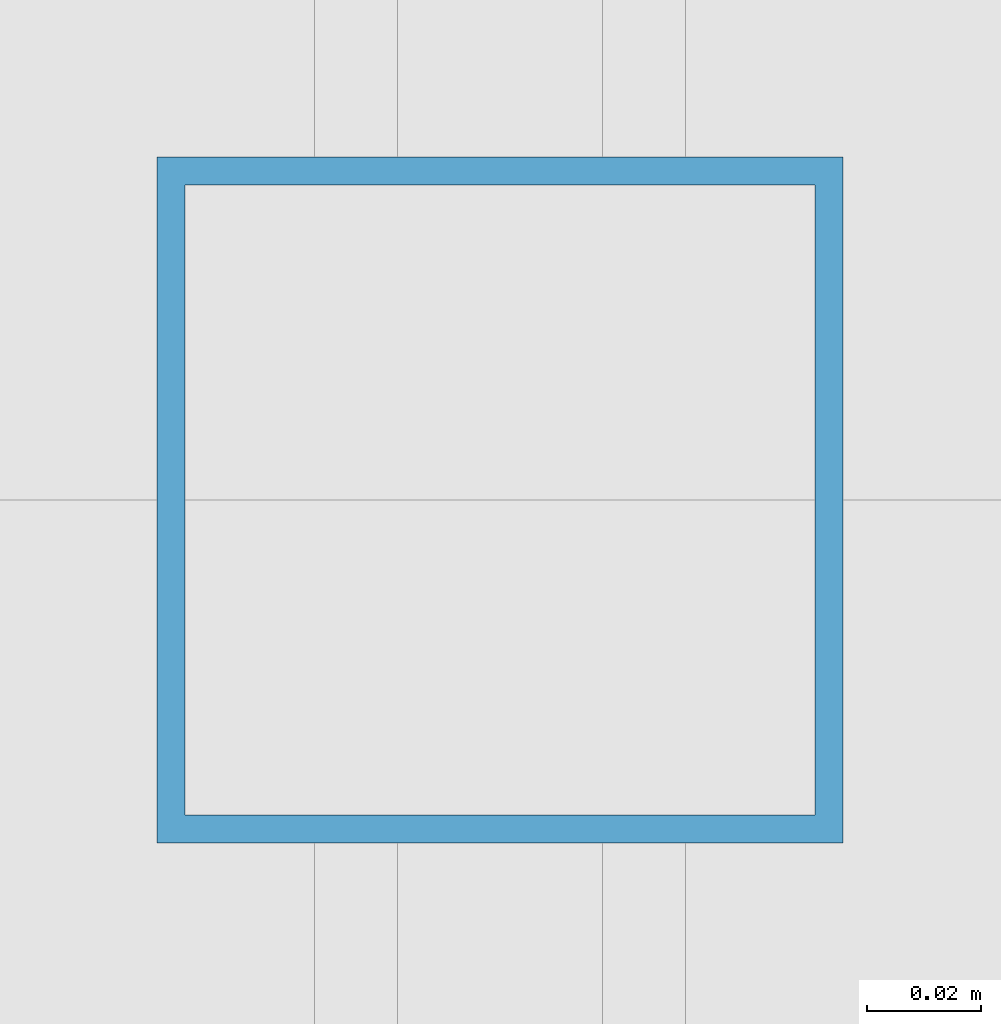
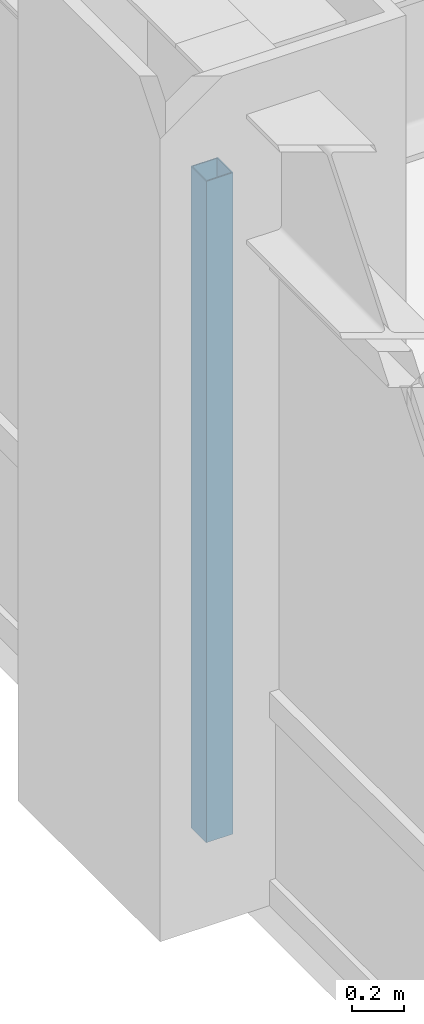
# One storey, part 6 of 28: 1 member, 1 element without a shape of its own.
"""IFC4 building model written with IfcOpenShell, lengths in metres."""

import ifcopenshell
import ifcopenshell.guid

model = None  # the IFC model being written
_history = None  # IfcOwnerHistory: only IFC2X3 demands one
_inside = {}  # id of a spatial element -> (the spatial element, [elements in it])
_under = {}  # id of a project, library or spatial element -> (it, [spatial elements below it])
_declared = {}  # id of a project -> (the project, [libraries it declares])
_typed = {}  # id of a type object -> (the type object, [elements of that type])
_made_of = {}  # id of a material, layer set ... -> (it, [elements and type objects made of it])


def new_model(schema):
    """Start an empty IFC model of exactly this schema.

    Asked for "IFC4X3", IfcOpenShell would pick the latest addendum, in which some entities
    have other attributes; the version numbers below select the first issue.
    IFC2X3 requires an IfcOwnerHistory on every rooted entity: one is made here for all.
    """
    global model, _history
    if schema == "IFC4X3":
        model = ifcopenshell.file(schema_version=(4, 3, 0, 0))
    else:
        model = ifcopenshell.file(schema=schema)
    _inside.clear()
    _under.clear()
    _declared.clear()
    _typed.clear()
    _made_of.clear()
    _history = None
    if model.schema == "IFC2X3":
        org = make("IfcOrganization", Name="unknown")
        user = make(
            "IfcPersonAndOrganization",
            ThePerson=make("IfcPerson", FamilyName="unknown"),
            TheOrganization=org,
        )
        app = make(
            "IfcApplication",
            ApplicationDeveloper=org,
            Version="unknown",
            ApplicationFullName="unknown",
            ApplicationIdentifier="unknown",
        )
        _history = make(
            "IfcOwnerHistory",
            OwningUser=user,
            OwningApplication=app,
            ChangeAction="ADDED",
            CreationDate=0,
        )
    return model


def make(cls, **values):
    """One entity of the class cls with the attributes given. An attribute that is None is left unset."""
    return model.create_entity(
        cls, **{name: value for name, value in values.items() if value is not None}
    )


def rooted(cls, **values):
    """An entity with a GlobalId (a new one), such as an element, a storey or a relation."""
    return make(cls, GlobalId=ifcopenshell.guid.new(), OwnerHistory=_history, **values)


def si_unit(unit_type, name, prefix=None):
    """IfcSIUnit, for example si_unit("LENGTHUNIT", "METRE", prefix="MILLI")."""
    return make("IfcSIUnit", UnitType=unit_type, Prefix=prefix, Name=name)


def assignment(units):
    """IfcUnitAssignment: the units of a project."""
    return None if units is None else make("IfcUnitAssignment", Units=units)


def point(xyz):
    """IfcCartesianPoint."""
    return None if xyz is None else make("IfcCartesianPoint", Coordinates=xyz)


def direction(xyz):
    """IfcDirection."""
    return None if xyz is None else make("IfcDirection", DirectionRatios=xyz)


def frame(location, z_axis=None, x_axis=None):
    """IfcAxis2Placement3D, a coordinate frame: its origin and axes. An axis left out is left unset."""
    return make(
        "IfcAxis2Placement3D",
        Location=point(location),
        Axis=direction(z_axis),
        RefDirection=direction(x_axis),
    )


def frame_2d(location, x_axis=None):
    """IfcAxis2Placement2D, a coordinate frame in the plane: its origin and x axis."""
    return make(
        "IfcAxis2Placement2D", Location=point(location), RefDirection=direction(x_axis)
    )


def origin():
    """The frame at (0, 0, 0) with its axes left unset."""
    return frame((0.0, 0.0, 0.0))


def origin_2d():
    """The frame at (0, 0) in the plane with its x axis left unset."""
    return frame_2d((0.0, 0.0))


def place(relative_to, where):
    """IfcLocalPlacement: puts the frame where relative to a parent placement (None: the world)."""
    return make(
        "IfcLocalPlacement", PlacementRelTo=relative_to, RelativePlacement=where
    )


def context(
    kind, dimensions, precision=None, world=None, true_north=None, identifier=None
):
    """IfcGeometricRepresentationContext, for example the 3D "Model" context."""
    return make(
        "IfcGeometricRepresentationContext",
        ContextIdentifier=identifier,
        ContextType=kind,
        CoordinateSpaceDimension=dimensions,
        Precision=precision,
        WorldCoordinateSystem=world,
        TrueNorth=true_north,
    )


def subcontext(parent, identifier, kind, view, scale=None):
    """IfcGeometricRepresentationSubContext, for example "Body" below "Model"."""
    return make(
        "IfcGeometricRepresentationSubContext",
        ContextIdentifier=identifier,
        ContextType=kind,
        ParentContext=parent,
        TargetScale=scale,
        TargetView=view,
    )


def project(units=None, contexts=None):
    """IfcProject with its units and contexts."""
    return rooted(
        "IfcProject",
        Name="project",
        RepresentationContexts=contexts,
        UnitsInContext=assignment(units),
    )


def spatial(cls, under=None, at=None, **own):
    """A site, building, storey or space (cls), placed at a placement, below another one or the project."""
    s = rooted(cls, ObjectPlacement=at, **own)
    if under is not None:
        _under.setdefault(under.id(), (under, []))[1].append(s)
    return s


def profile(cls, at=None, kind="AREA", **sizes):
    """A parametric profile (cls). Its sizes go by their IFC names, for example OverallWidth=200.0."""
    return make(cls, ProfileType=kind, Position=at, **sizes)


def hollow_rectangle(**sizes):
    """IfcRectangleHollowProfileDef."""
    return profile("IfcRectangleHollowProfileDef", **sizes)


def extrude(swept, where, along, depth):
    """IfcExtrudedAreaSolid: the profile swept, set in the frame where, extruded along a direction by depth."""
    return make(
        "IfcExtrudedAreaSolid",
        SweptArea=swept,
        Position=where,
        ExtrudedDirection=direction(along),
        Depth=depth,
    )


def shape(context_of_items, identifier, shape_type, items):
    """IfcShapeRepresentation: the items that make up one representation, for example the "Body"."""
    return make(
        "IfcShapeRepresentation",
        ContextOfItems=context_of_items,
        RepresentationIdentifier=identifier,
        RepresentationType=shape_type,
        Items=items,
    )


def source(mapping_origin, context_of_items, identifier, shape_type, items):
    """IfcRepresentationMap: a shape defined once, which mapped items show again and again."""
    return make(
        "IfcRepresentationMap",
        MappingOrigin=mapping_origin,
        MappedRepresentation=shape(context_of_items, identifier, shape_type, items),
    )


def transform(
    local_origin,
    x_axis=None,
    y_axis=None,
    z_axis=None,
    scale=None,
    scale2=None,
    scale3=None,
    uniform=True,
):
    """IfcCartesianTransformationOperator3D, or its non-uniform kind. x_axis, y_axis, z_axis: its Axis1, 2, 3."""
    if uniform:
        return make(
            "IfcCartesianTransformationOperator3D",
            Axis1=direction(x_axis),
            Axis2=direction(y_axis),
            LocalOrigin=point(local_origin),
            Scale=scale,
            Axis3=direction(z_axis),
        )
    return make(
        "IfcCartesianTransformationOperator3DnonUniform",
        Axis1=direction(x_axis),
        Axis2=direction(y_axis),
        LocalOrigin=point(local_origin),
        Scale=scale,
        Axis3=direction(z_axis),
        Scale2=scale2,
        Scale3=scale3,
    )


def mapped(mapping_source, mapping_target):
    """IfcMappedItem: shows the shape of a source again, moved by a transform."""
    return make(
        "IfcMappedItem", MappingSource=mapping_source, MappingTarget=mapping_target
    )


def material(Name=None, Category=None):
    """IfcMaterial."""
    return make("IfcMaterial", Name=Name, Category=Category)


def material_profile(
    of_material, cross_section, Name=None, Category=None, Priority=None
):
    """IfcMaterialProfile: a cross section and its material."""
    return make(
        "IfcMaterialProfile",
        Name=Name,
        Material=of_material,
        Profile=cross_section,
        Priority=Priority,
        Category=Category,
    )


def profile_set(profiles, Name=None, composite=None):
    """IfcMaterialProfileSet."""
    return make(
        "IfcMaterialProfileSet",
        Name=Name,
        MaterialProfiles=profiles,
        CompositeProfile=composite,
    )


def made_of(thing, what):
    """Note that an element or type object is made of a material, layer set ...; save() writes the relation."""
    if what is not None:
        _made_of.setdefault(what.id(), (what, []))[1].append(thing)
    return thing


def type_object(cls, material=None, **own):
    """A type object (cls), such as IfcWallType, which elements share."""
    return made_of(rooted(cls, **own), material)


def element(
    cls,
    number,
    at=None,
    inside=None,
    cuts=None,
    type_object=None,
    material=None,
    context=None,
    identifier="Body",
    shape_type=None,
    held_by="IfcProductDefinitionShape",
    body=None,
    shapes=None,
    **own,
):
    """One element of the class cls, such as IfcWall. Its Tag is "e" and its number.

    at: its placement. inside: the storey or other place that contains it. cuts: it is an
    opening in that element (IfcRelVoidsElement). A single representation is given by context,
    identifier, shape_type and body (its items); several are given by shapes. held_by: the class
    of the entity that holds the representations. save() writes the other relations.
    """
    e = rooted(cls, Tag="e%d" % number, ObjectPlacement=at, **own)
    if body is not None:
        shapes = [shape(context, identifier, shape_type, body)]
    if shapes is not None:
        e.Representation = make(held_by, Representations=shapes)
    if inside is not None:
        _inside.setdefault(inside.id(), (inside, []))[1].append(e)
    if cuts is not None:
        rooted(
            "IfcRelVoidsElement", RelatingBuildingElement=cuts, RelatedOpeningElement=e
        )
    if type_object is not None:
        _typed.setdefault(type_object.id(), (type_object, []))[1].append(e)
    return made_of(e, material)


def aggregate(whole, parts):
    """IfcRelAggregates: a whole, such as a stair, and the parts it consists of."""
    return rooted("IfcRelAggregates", RelatingObject=whole, RelatedObjects=parts)


def save(model, path):
    """Write the relations noted so far, then the file.

    IfcRelAggregates (storeys below a building ...), IfcRelContainedInSpatialStructure (elements
    in a storey), IfcRelDefinesByType, IfcRelAssociatesMaterial and IfcRelDeclares: one each for
    every whole, place, type object, material and project.
    """
    for whole, parts in _under.values():
        aggregate(whole, parts)
    for where, things in _inside.values():
        rooted(
            "IfcRelContainedInSpatialStructure",
            RelatedElements=things,
            RelatingStructure=where,
        )
    for kind, things in _typed.values():
        rooted("IfcRelDefinesByType", RelatedObjects=things, RelatingType=kind)
    for what, things in _made_of.values():
        rooted("IfcRelAssociatesMaterial", RelatedObjects=things, RelatingMaterial=what)
    for by, libraries in _declared.values():
        rooted("IfcRelDeclares", RelatingContext=by, RelatedDefinitions=libraries)
    model.write(path)


model = new_model("IFC4")

# Units and contexts
model_context = context("Model", 3, precision=1e-05, world=origin(), true_north=direction((0.0, 1.0)))
body_context = subcontext(model_context, "Body", "Model", "MODEL_VIEW")
ifc_project = project(units=[si_unit("LENGTHUNIT", "METRE"), si_unit("AREAUNIT", "SQUARE_METRE"), si_unit("VOLUMEUNIT", "CUBIC_METRE"), si_unit("PLANEANGLEUNIT", "RADIAN"), si_unit("MASSUNIT", "GRAM", prefix="KILO")], contexts=[model_context])

# Site, building, storey
site_placement = place(None, origin())
site = spatial("IfcSite", under=ifc_project, at=site_placement, CompositionType="ELEMENT")
building_placement = place(site_placement, origin())
building = spatial("IfcBuilding", under=site, at=building_placement, Name="Khorayat Bourse Tower", CompositionType="ELEMENT")
storey_placement = place(building_placement, frame((0.0, 0.0, 183.10009765625)))
storey = spatial("IfcBuildingStorey", under=building, at=storey_placement, Name="L42", CompositionType="ELEMENT", Elevation=183.10009765625)

# Curtain wall, member
ifc_material = material(Name="Aluminium EN AW-6063 T6", Category="aluminium")
curtain_wall_type = type_object("IfcCurtainWallType", Name="CW-SYS-03", PredefinedType="NOTDEFINED", material=ifc_material)
curtain_wall_placement = place(storey_placement, origin())
curtain_wall = element("IfcCurtainWall", 1, at=curtain_wall_placement, inside=storey, type_object=curtain_wall_type, Name="L42 Curtain Wall CW-L42-W1", PredefinedType="NOTDEFINED")
ifc_material_profile = material_profile(ifc_material, hollow_rectangle(XDim=0.1201171875, YDim=0.1201171875, WallThickness=0.0048828125, at=origin_2d()), Name="ALU 120x120x5")
ifc_profile_set = profile_set([ifc_material_profile], Name="Aluminium EN AW-6063 T6")
member_type = type_object("IfcMemberType", Name="CWM-VERT-120", PredefinedType="MULLION", material=ifc_profile_set)
shared_shape = source(origin(), body_context, "Body", "SweptSolid", [
    extrude(hollow_rectangle(XDim=0.1201171875, YDim=0.1201171875, WallThickness=0.0048828125, at=origin_2d()), origin(), (0.0, 0.0, 1.0), 3.1298828125),
])
member_placement = place(storey_placement, frame((-30.0, 0.0, 0.0), z_axis=(0.0, 0.0, 1.0), x_axis=(-1.0, 0.0, 0.0)))
member = element("IfcMember", 2, at=member_placement, type_object=member_type, Name="CW-L42-W1 Vertical Mullion 2", PredefinedType="MULLION", context=body_context, shape_type="MappedRepresentation", body=[
    mapped(shared_shape, transform((0.0, 0.0, 0.0), scale=1.0)),
])
aggregate(curtain_wall, [member])

save(model, "model.ifc")
